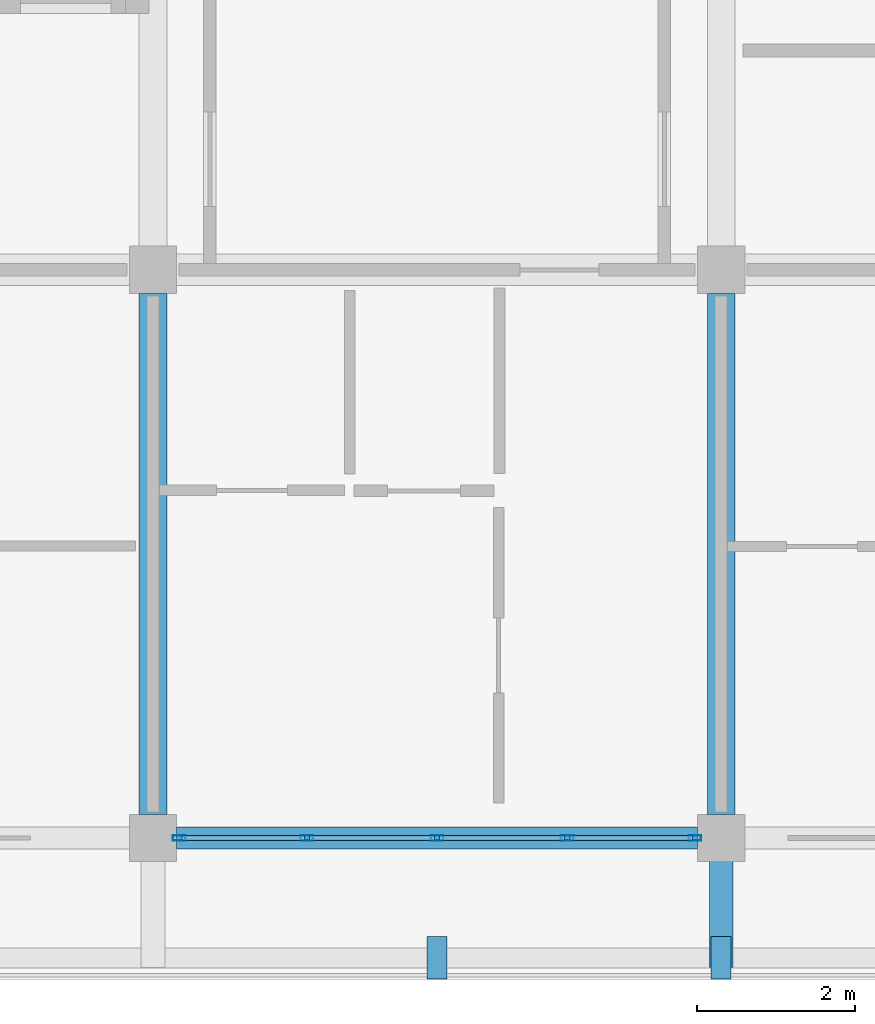
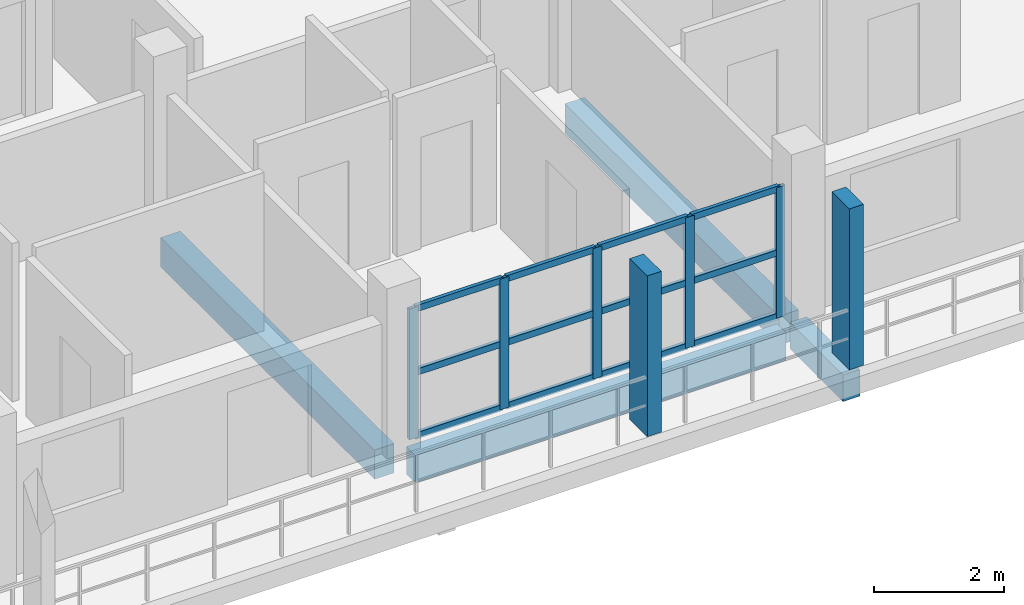
# One storey, part 6 of 76: 19 members, 4 beams, 1 element without a shape of its own.
"""IFC4 building model written with IfcOpenShell, lengths in metres."""

from ifc_helpers import new_model, si_unit, direction, frame, origin, origin_2d, place, context, subcontext, project, spatial, rectangle, hollow_rectangle, extrude, material, material_profile, profile_set, type_object, element, aggregate, save


model = new_model("IFC4")

# Units and contexts
model_context = context("Model", 3, precision=1e-05, world=origin(), true_north=direction((0.0, 1.0)))
body_context = subcontext(model_context, "Body", "Model", "MODEL_VIEW")
ifc_project = project(units=[si_unit("LENGTHUNIT", "METRE"), si_unit("AREAUNIT", "SQUARE_METRE"), si_unit("VOLUMEUNIT", "CUBIC_METRE"), si_unit("PLANEANGLEUNIT", "RADIAN"), si_unit("MASSUNIT", "GRAM", prefix="KILO")], contexts=[model_context])

# Site, building, storey
site_placement = place(None, origin())
site = spatial("IfcSite", under=ifc_project, at=site_placement, CompositionType="ELEMENT")
building_placement = place(site_placement, origin())
building = spatial("IfcBuilding", under=site, at=building_placement, Name="Suanplinth Sawtooth Commons", CompositionType="ELEMENT")
storey_placement = place(building_placement, frame((0.0, 0.0, 12.199951171875)))
storey = spatial("IfcBuildingStorey", under=building, at=storey_placement, Name="L03", CompositionType="ELEMENT", Elevation=12.199951171875)

# Beams
ifc_material_1 = material(Name="Precast concrete C40/50", Category="concrete")
ifc_material_profile_1 = material_profile(ifc_material_1, rectangle(XDim=0.35009765625, YDim=0.550048828125, at=origin_2d()), Name="PC-BM 350x550")
ifc_profile_set_1 = profile_set([ifc_material_profile_1], Name="Precast concrete C40/50")
beam_type_1 = type_object("IfcBeamType", Name="B-06", PredefinedType="BEAM", material=ifc_profile_set_1)
for number, where, z_axis, x_axis, name in (
    (1, (36.0, 0.300048828125, -0.514892578125), (0.0, 1.0, 0.0), (-1.0, 0.0, 0.0), "BMY-L03-D-5-0"),
    (2, (43.199951171875, 0.300048828125, -0.514892578125), (0.0, 1.0, 0.0), (-1.0, 0.0, 0.0), "BMY-L03-D-6-0"),
):
    element("IfcBeam", number, at=place(storey_placement, frame(where, z_axis=z_axis, x_axis=x_axis)), inside=storey, type_object=beam_type_1, Name=name, PredefinedType="BEAM", context=body_context, shape_type="SweptSolid", body=[
        extrude(rectangle(XDim=0.35009765625, YDim=0.550048828125, at=origin_2d()), origin(), (0.0, 0.0, 1.0), 6.599853515625),
    ])
ifc_material_profile_2 = material_profile(ifc_material_1, rectangle(XDim=0.300048828125, YDim=0.5, at=origin_2d()), Name="PC-BM 300x500")
ifc_profile_set_2 = profile_set([ifc_material_profile_2], Name="Precast concrete C40/50")
beam_type_2 = type_object("IfcBeamType", Name="B-07", PredefinedType="BEAM", material=ifc_profile_set_2)
beam_1_placement = place(storey_placement, frame((43.199951171875, 0.0, -0.429931640625), z_axis=(0.0, -1.0, 0.0), x_axis=(1.0, 0.0, 0.0)))
element("IfcBeam", 3, at=beam_1_placement, inside=storey, type_object=beam_type_2, Name="Balcony Outrigger L03-D-S-6", PredefinedType="BEAM", context=body_context, shape_type="SweptSolid", body=[
    extrude(rectangle(XDim=0.300048828125, YDim=0.5, at=origin_2d()), origin(), (0.0, 0.0, 1.0), 1.639892578125),
])
ifc_material_profile_3 = material_profile(ifc_material_1, rectangle(XDim=0.280029296875, YDim=0.52001953125, at=origin_2d()), Name="PC-SP 280x520")
ifc_profile_set_3 = profile_set([ifc_material_profile_3], Name="Precast concrete C40/50")
beam_type_3 = type_object("IfcBeamType", Name="B-08", PredefinedType="SPANDREL", material=ifc_profile_set_3)
beam_2_placement = place(storey_placement, frame((36.300048828125, 0.0, -0.5), z_axis=(1.0, 0.0, 0.0), x_axis=(0.0, 1.0, 0.0)))
element("IfcBeam", 4, at=beam_2_placement, inside=storey, type_object=beam_type_3, Name="BMX-L03-D-5-0", PredefinedType="SPANDREL", context=body_context, shape_type="SweptSolid", body=[
    extrude(rectangle(XDim=0.280029296875, YDim=0.52001953125, at=origin_2d()), origin(), (0.0, 0.0, 1.0), 6.599853515625),
])

# Members
ifc_material_2 = material(Name="Pigmented precast concrete C40/50", Category="concrete")
ifc_material_profile_4 = material_profile(ifc_material_2, rectangle(XDim=0.25, YDim=0.5400390625, at=origin_2d()), Name="PC-FIN 250x540")
ifc_profile_set_4 = profile_set([ifc_material_profile_4], Name="Pigmented precast concrete C40/50")
member_type_1 = type_object("IfcMemberType", Name="M-11", PredefinedType="USERDEFINED", material=ifc_profile_set_4)
for number, where, z_axis, x_axis, name in (
    (5, (39.60009765625, -1.52001953125, 0.0), (0.0, 0.0, 1.0), (1.0, 0.0, 0.0), "Upright Solar Blade L03-D-S-07"),
    (6, (43.199951171875, -1.52001953125, 0.0), (0.0, 0.0, 1.0), (1.0, 0.0, 0.0), "Upright Solar Blade L03-D-S-08"),
):
    element("IfcMember", number, at=place(storey_placement, frame(where, z_axis=z_axis, x_axis=x_axis)), inside=storey, type_object=member_type_1, Name=name, ObjectType="SHADING FIN", PredefinedType="USERDEFINED", context=body_context, shape_type="SweptSolid", body=[
        extrude(rectangle(XDim=0.25, YDim=0.5400390625, at=origin_2d()), origin(), (0.0, 0.0, 1.0), 3.030029296875),
    ])

# Curtain wall, members
ifc_material_3 = material(Name="Anodized aluminium and low-E glazing", Category="aluminium")
curtain_wall_type = type_object("IfcCurtainWallType", Name="CW-06", PredefinedType="USERDEFINED", material=ifc_material_3)
curtain_wall_placement = place(storey_placement, origin())
curtain_wall = element("IfcCurtainWall", 7, at=curtain_wall_placement, inside=storey, type_object=curtain_wall_type, Name="Curtain Wall CW-L03-D-LOUNGE-5", ObjectType="CURTAIN WALL", PredefinedType="USERDEFINED")
ifc_material_4 = material(Name="Anodized aluminium 6063-T6", Category="aluminium")
ifc_material_profile_5 = material_profile(ifc_material_4, hollow_rectangle(XDim=0.06494140625, YDim=0.159912109375, WallThickness=0.00390625, at=origin_2d()), Name="ALU-MUL 65x160")
ifc_profile_set_5 = profile_set([ifc_material_profile_5], Name="Anodized aluminium 6063-T6")
member_type_2 = type_object("IfcMemberType", Name="M-13", PredefinedType="MULLION", material=ifc_profile_set_5)
member_1_placement = place(storey_placement, frame((36.33251953125, 0.0, 0.0), z_axis=(0.0, 0.0, 1.0), x_axis=(0.0, 1.0, 0.0)))
member_1 = element("IfcMember", 8, at=member_1_placement, type_object=member_type_2, Name="CW-06 mullion 1", PredefinedType="MULLION", context=body_context, shape_type="SweptSolid", body=[
    extrude(hollow_rectangle(XDim=0.06494140625, YDim=0.159912109375, WallThickness=0.00390625, at=origin_2d()), origin(), (0.0, 0.0, 1.0), 2.4599609375),
])
member_2_placement = place(storey_placement, frame((37.949951171875, 0.0, 0.0), z_axis=(0.0, 0.0, 1.0), x_axis=(0.0, 1.0, 0.0)))
member_2 = element("IfcMember", 9, at=member_2_placement, type_object=member_type_2, Name="CW-06 mullion 2", PredefinedType="MULLION", context=body_context, shape_type="SweptSolid", body=[
    extrude(hollow_rectangle(XDim=0.06494140625, YDim=0.159912109375, WallThickness=0.00390625, at=origin_2d()), origin(), (0.0, 0.0, 1.0), 2.4599609375),
])
member_3_placement = place(storey_placement, frame((39.60009765625, 0.0, 0.0), z_axis=(0.0, 0.0, 1.0), x_axis=(0.0, 1.0, 0.0)))
member_3 = element("IfcMember", 10, at=member_3_placement, type_object=member_type_2, Name="CW-06 mullion 3", PredefinedType="MULLION", context=body_context, shape_type="SweptSolid", body=[
    extrude(hollow_rectangle(XDim=0.06494140625, YDim=0.159912109375, WallThickness=0.00390625, at=origin_2d()), origin(), (0.0, 0.0, 1.0), 2.4599609375),
])
member_4_placement = place(storey_placement, frame((41.25, 0.0, 0.0), z_axis=(0.0, 0.0, 1.0), x_axis=(0.0, 1.0, 0.0)))
member_4 = element("IfcMember", 11, at=member_4_placement, type_object=member_type_2, Name="CW-06 mullion 4", PredefinedType="MULLION", context=body_context, shape_type="SweptSolid", body=[
    extrude(hollow_rectangle(XDim=0.06494140625, YDim=0.159912109375, WallThickness=0.00390625, at=origin_2d()), origin(), (0.0, 0.0, 1.0), 2.4599609375),
])
member_5_placement = place(storey_placement, frame((42.867431640625, 0.0, 0.0), z_axis=(0.0, 0.0, 1.0), x_axis=(0.0, 1.0, 0.0)))
member_5 = element("IfcMember", 12, at=member_5_placement, type_object=member_type_2, Name="CW-06 mullion 5", PredefinedType="MULLION", context=body_context, shape_type="SweptSolid", body=[
    extrude(hollow_rectangle(XDim=0.06494140625, YDim=0.159912109375, WallThickness=0.00390625, at=origin_2d()), origin(), (0.0, 0.0, 1.0), 2.4599609375),
])
ifc_material_profile_6 = material_profile(ifc_material_4, hollow_rectangle(XDim=0.06494140625, YDim=0.1201171875, WallThickness=0.00390625, at=origin_2d()), Name="ALU-TRN 65x120")
ifc_profile_set_6 = profile_set([ifc_material_profile_6], Name="Anodized aluminium 6063-T6")
member_type_3 = type_object("IfcMemberType", Name="M-15", PredefinedType="USERDEFINED", material=ifc_profile_set_6)
member_6_placement = place(storey_placement, frame((36.364990234375, 0.0, 0.032470703125), z_axis=(1.0, 0.0, 0.0), x_axis=(0.0, 1.0, 0.0)))
member_6 = element("IfcMember", 13, at=member_6_placement, type_object=member_type_3, Name="CW-06 transom 1.1", ObjectType="TRANSOM", PredefinedType="USERDEFINED", context=body_context, shape_type="SweptSolid", body=[
    extrude(hollow_rectangle(XDim=0.06494140625, YDim=0.1201171875, WallThickness=0.00390625, at=origin_2d()), origin(), (0.0, 0.0, 1.0), 1.552490234375),
])
member_7_placement = place(storey_placement, frame((36.364990234375, 0.0, 1.22998046875), z_axis=(1.0, 0.0, 0.0), x_axis=(0.0, 1.0, 0.0)))
member_7 = element("IfcMember", 14, at=member_7_placement, type_object=member_type_3, Name="CW-06 transom 1.2", ObjectType="TRANSOM", PredefinedType="USERDEFINED", context=body_context, shape_type="SweptSolid", body=[
    extrude(hollow_rectangle(XDim=0.06494140625, YDim=0.1201171875, WallThickness=0.00390625, at=origin_2d()), origin(), (0.0, 0.0, 1.0), 1.552490234375),
])
member_8_placement = place(storey_placement, frame((36.364990234375, 0.0, 2.427490234375), z_axis=(1.0, 0.0, 0.0), x_axis=(0.0, 1.0, 0.0)))
member_8 = element("IfcMember", 15, at=member_8_placement, type_object=member_type_3, Name="CW-06 transom 1.3", ObjectType="TRANSOM", PredefinedType="USERDEFINED", context=body_context, shape_type="SweptSolid", body=[
    extrude(hollow_rectangle(XDim=0.06494140625, YDim=0.1201171875, WallThickness=0.00390625, at=origin_2d()), origin(), (0.0, 0.0, 1.0), 1.552490234375),
])
member_9_placement = place(storey_placement, frame((37.982421875, 0.0, 0.032470703125), z_axis=(1.0, 0.0, 0.0), x_axis=(0.0, 1.0, 0.0)))
member_9 = element("IfcMember", 16, at=member_9_placement, type_object=member_type_3, Name="CW-06 transom 2.1", ObjectType="TRANSOM", PredefinedType="USERDEFINED", context=body_context, shape_type="SweptSolid", body=[
    extrude(hollow_rectangle(XDim=0.06494140625, YDim=0.1201171875, WallThickness=0.00390625, at=origin_2d()), origin(), (0.0, 0.0, 1.0), 1.5849609375),
])
member_10_placement = place(storey_placement, frame((37.982421875, 0.0, 1.22998046875), z_axis=(1.0, 0.0, 0.0), x_axis=(0.0, 1.0, 0.0)))
member_10 = element("IfcMember", 17, at=member_10_placement, type_object=member_type_3, Name="CW-06 transom 2.2", ObjectType="TRANSOM", PredefinedType="USERDEFINED", context=body_context, shape_type="SweptSolid", body=[
    extrude(hollow_rectangle(XDim=0.06494140625, YDim=0.1201171875, WallThickness=0.00390625, at=origin_2d()), origin(), (0.0, 0.0, 1.0), 1.5849609375),
])
member_11_placement = place(storey_placement, frame((37.982421875, 0.0, 2.427490234375), z_axis=(1.0, 0.0, 0.0), x_axis=(0.0, 1.0, 0.0)))
member_11 = element("IfcMember", 18, at=member_11_placement, type_object=member_type_3, Name="CW-06 transom 2.3", ObjectType="TRANSOM", PredefinedType="USERDEFINED", context=body_context, shape_type="SweptSolid", body=[
    extrude(hollow_rectangle(XDim=0.06494140625, YDim=0.1201171875, WallThickness=0.00390625, at=origin_2d()), origin(), (0.0, 0.0, 1.0), 1.5849609375),
])
member_12_placement = place(storey_placement, frame((39.632568359375, 0.0, 0.032470703125), z_axis=(1.0, 0.0, 0.0), x_axis=(0.0, 1.0, 0.0)))
member_12 = element("IfcMember", 19, at=member_12_placement, type_object=member_type_3, Name="CW-06 transom 3.1", ObjectType="TRANSOM", PredefinedType="USERDEFINED", context=body_context, shape_type="SweptSolid", body=[
    extrude(hollow_rectangle(XDim=0.06494140625, YDim=0.1201171875, WallThickness=0.00390625, at=origin_2d()), origin(), (0.0, 0.0, 1.0), 1.5849609375),
])
member_13_placement = place(storey_placement, frame((39.632568359375, 0.0, 1.22998046875), z_axis=(1.0, 0.0, 0.0), x_axis=(0.0, 1.0, 0.0)))
member_13 = element("IfcMember", 20, at=member_13_placement, type_object=member_type_3, Name="CW-06 transom 3.2", ObjectType="TRANSOM", PredefinedType="USERDEFINED", context=body_context, shape_type="SweptSolid", body=[
    extrude(hollow_rectangle(XDim=0.06494140625, YDim=0.1201171875, WallThickness=0.00390625, at=origin_2d()), origin(), (0.0, 0.0, 1.0), 1.5849609375),
])
member_14_placement = place(storey_placement, frame((39.632568359375, 0.0, 2.427490234375), z_axis=(1.0, 0.0, 0.0), x_axis=(0.0, 1.0, 0.0)))
member_14 = element("IfcMember", 21, at=member_14_placement, type_object=member_type_3, Name="CW-06 transom 3.3", ObjectType="TRANSOM", PredefinedType="USERDEFINED", context=body_context, shape_type="SweptSolid", body=[
    extrude(hollow_rectangle(XDim=0.06494140625, YDim=0.1201171875, WallThickness=0.00390625, at=origin_2d()), origin(), (0.0, 0.0, 1.0), 1.5849609375),
])
member_15_placement = place(storey_placement, frame((41.282470703125, 0.0, 0.032470703125), z_axis=(1.0, 0.0, 0.0), x_axis=(0.0, 1.0, 0.0)))
member_15 = element("IfcMember", 22, at=member_15_placement, type_object=member_type_3, Name="CW-06 transom 4.1", ObjectType="TRANSOM", PredefinedType="USERDEFINED", context=body_context, shape_type="SweptSolid", body=[
    extrude(hollow_rectangle(XDim=0.06494140625, YDim=0.1201171875, WallThickness=0.00390625, at=origin_2d()), origin(), (0.0, 0.0, 1.0), 1.552490234375),
])
member_16_placement = place(storey_placement, frame((41.282470703125, 0.0, 1.22998046875), z_axis=(1.0, 0.0, 0.0), x_axis=(0.0, 1.0, 0.0)))
member_16 = element("IfcMember", 23, at=member_16_placement, type_object=member_type_3, Name="CW-06 transom 4.2", ObjectType="TRANSOM", PredefinedType="USERDEFINED", context=body_context, shape_type="SweptSolid", body=[
    extrude(hollow_rectangle(XDim=0.06494140625, YDim=0.1201171875, WallThickness=0.00390625, at=origin_2d()), origin(), (0.0, 0.0, 1.0), 1.552490234375),
])
member_17_placement = place(storey_placement, frame((41.282470703125, 0.0, 2.427490234375), z_axis=(1.0, 0.0, 0.0), x_axis=(0.0, 1.0, 0.0)))
member_17 = element("IfcMember", 24, at=member_17_placement, type_object=member_type_3, Name="CW-06 transom 4.3", ObjectType="TRANSOM", PredefinedType="USERDEFINED", context=body_context, shape_type="SweptSolid", body=[
    extrude(hollow_rectangle(XDim=0.06494140625, YDim=0.1201171875, WallThickness=0.00390625, at=origin_2d()), origin(), (0.0, 0.0, 1.0), 1.552490234375),
])
aggregate(curtain_wall, [member_1, member_2, member_3, member_4, member_5, member_6, member_7, member_8, member_9, member_10, member_11, member_12, member_13, member_14, member_15, member_16, member_17])

save(model, "model.ifc")
